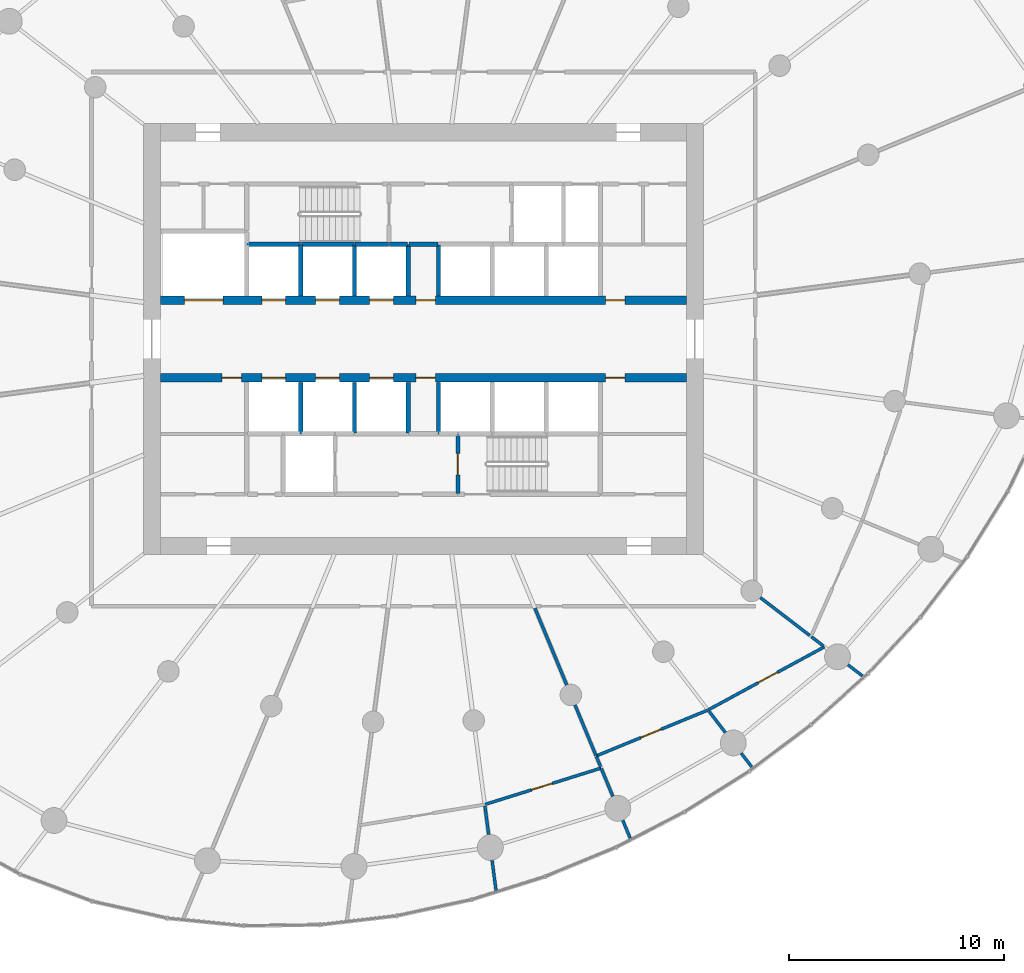
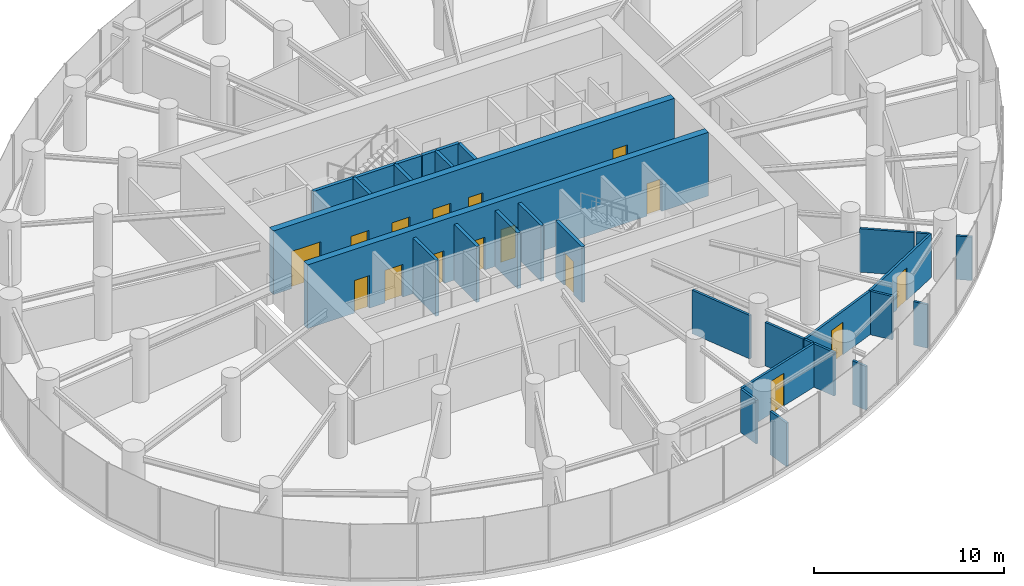
# One storey, part 11 of 17: 31 walls, 16 doors, 16 openings.
"""IFC4 building model written with IfcOpenShell, lengths in metres."""

from ifc_helpers import new_model, si_unit, direction, frame, frame_2d, origin, place, context, subcontext, project, spatial, rectangle, extrude, source, transform, mapped, material, layer, layer_set, type_object, element, fill, save


model = new_model("IFC4")

# Units and contexts
model_context = context("Model", 3, precision=1e-05, world=origin(), true_north=direction((0.0, 1.0)))
body_context = subcontext(model_context, "Body", "Model", "MODEL_VIEW")
ifc_project = project(units=[si_unit("LENGTHUNIT", "METRE"), si_unit("AREAUNIT", "SQUARE_METRE"), si_unit("VOLUMEUNIT", "CUBIC_METRE"), si_unit("PLANEANGLEUNIT", "RADIAN"), si_unit("MASSUNIT", "GRAM", prefix="KILO")], contexts=[model_context])

# Site, building, storey
site_placement = place(None, origin())
site = spatial("IfcSite", under=ifc_project, at=site_placement, CompositionType="ELEMENT")
building_placement = place(site_placement, origin())
building = spatial("IfcBuilding", under=site, at=building_placement, Name="Spindrift Exchange Tower", CompositionType="ELEMENT")
storey_placement = place(building_placement, frame((0.0, 0.0, 124.89990234375)))
storey = spatial("IfcBuildingStorey", under=building, at=storey_placement, Name="L29", CompositionType="ELEMENT", Elevation=124.89990234375)

# Wall, openings, doors
ifc_material_1 = material(Name="Concrete 65 MPa", Category="concrete")
ifc_layer_1 = layer(ifc_material_1, 0.39990234375)
ifc_layer_set_1 = layer_set([ifc_layer_1], Name="RC Spine Wall 400 Concrete 65 MPa")
wall_type_1 = type_object("IfcWallType", Name="RC Spine Wall 400 Concrete 65 MPa", PredefinedType="SHEAR", material=ifc_layer_set_1)
wall_1_placement = place(storey_placement, frame((39.800048828125, 49.800048828125, 0.0), z_axis=(0.0, 0.0, 1.0), x_axis=(1.0, 0.0, 0.0)))
wall_1 = element("IfcWall", 1, at=wall_1_placement, inside=storey, type_object=wall_type_1, Name="Core spine wall N L29", PredefinedType="SHEAR", context=body_context, shape_type="SweptSolid", body=[
    extrude(rectangle(XDim=24.39990234375, YDim=0.39990234375, at=frame_2d((12.199951171875, 0.0))), origin(), (0.0, 0.0, 1.0), 4.10009765625),
])
opening_1_placement = place(wall_1_placement, frame((4.699951171875, 0.0, 0.0)))
opening_1 = element("IfcOpeningElement", 2, at=opening_1_placement, cuts=wall_1, Name="Opening L29-D3", PredefinedType="OPENING", context=body_context, shape_type="SweptSolid", body=[
    extrude(rectangle(XDim=1.10009765625, YDim=2.10009765625, at=frame_2d((0.550048828125, 1.050048828125))), frame((0.0, 0.2099609375, 0.0), z_axis=(0.0, -1.0, 0.0), x_axis=(1.0, 0.0, 0.0)), (0.0, 0.0, 1.0), 0.419921875),
])
opening_2_placement = place(wall_1_placement, frame((7.199951171875, 0.0, 0.0)))
opening_2 = element("IfcOpeningElement", 3, at=opening_2_placement, cuts=wall_1, Name="Opening L29-D4", PredefinedType="OPENING", context=body_context, shape_type="SweptSolid", body=[
    extrude(rectangle(XDim=1.10009765625, YDim=2.10009765625, at=frame_2d((0.550048828125, 1.050048828125))), frame((0.0, 0.2099609375, 0.0), z_axis=(0.0, -1.0, 0.0), x_axis=(1.0, 0.0, 0.0)), (0.0, 0.0, 1.0), 0.419921875),
])
opening_3_placement = place(wall_1_placement, frame((9.699951171875, 0.0, 0.0)))
opening_3 = element("IfcOpeningElement", 4, at=opening_3_placement, cuts=wall_1, Name="Opening L29-D5", PredefinedType="OPENING", context=body_context, shape_type="SweptSolid", body=[
    extrude(rectangle(XDim=1.10009765625, YDim=2.10009765625, at=frame_2d((0.550048828125, 1.050048828125))), frame((0.0, 0.2099609375, 0.0), z_axis=(0.0, -1.0, 0.0), x_axis=(1.0, 0.0, 0.0)), (0.0, 0.0, 1.0), 0.419921875),
])
opening_4_placement = place(wall_1_placement, frame((1.10009765625, 0.0, 0.0)))
opening_4 = element("IfcOpeningElement", 5, at=opening_4_placement, cuts=wall_1, Name="Opening L29-D12", PredefinedType="OPENING", context=body_context, shape_type="SweptSolid", body=[
    extrude(rectangle(XDim=1.800048828125, YDim=2.39990234375, at=frame_2d((0.89990234375, 1.199951171875))), frame((0.0, 0.2099609375, 0.0), z_axis=(0.0, -1.0, 0.0), x_axis=(1.0, 0.0, 0.0)), (0.0, 0.0, 1.0), 0.419921875),
])
opening_5_placement = place(wall_1_placement, frame((20.64990234375, 0.0, 0.0)))
opening_5 = element("IfcOpeningElement", 6, at=opening_5_placement, cuts=wall_1, Name="Opening L29-D48", PredefinedType="OPENING", context=body_context, shape_type="SweptSolid", body=[
    extrude(rectangle(XDim=0.89990234375, YDim=2.10009765625, at=frame_2d((0.449951171875, 1.050048828125))), frame((0.0, 0.2099609375, 0.0), z_axis=(0.0, -1.0, 0.0), x_axis=(1.0, 0.0, 0.0)), (0.0, 0.0, 1.0), 0.419921875),
])
opening_6_placement = place(wall_1_placement, frame((11.85009765625, 0.0, 0.0)))
opening_6 = element("IfcOpeningElement", 7, at=opening_6_placement, cuts=wall_1, Name="Opening L29-D53", PredefinedType="OPENING", context=body_context, shape_type="SweptSolid", body=[
    extrude(rectangle(XDim=0.89990234375, YDim=2.10009765625, at=frame_2d((0.449951171875, 1.050048828125))), frame((0.0, 0.2099609375, 0.0), z_axis=(0.0, -1.0, 0.0), x_axis=(1.0, 0.0, 0.0)), (0.0, 0.0, 1.0), 0.419921875),
])
ifc_material_2 = material(Name="Stainless steel landing door", Category="steel")
door_type_1 = type_object("IfcDoorType", Name="DR-LANDING-1100-SL", OperationType="DOUBLE_DOOR_SLIDING", PredefinedType="USERDEFINED", material=ifc_material_2)
shared_shape_1 = source(origin(), body_context, "Body", "SweptSolid", [
    extrude(rectangle(XDim=1.10009765625, YDim=2.10009765625, at=frame_2d((0.550048828125, 1.050048828125))), frame((0.0, 0.02490234375, 0.0), z_axis=(0.0, -1.0, 0.0), x_axis=(1.0, 0.0, 0.0)), (0.0, 0.0, 1.0), 0.050048828125),
])
door_1_placement = place(opening_1_placement, origin())
door_1 = element("IfcDoor", 8, at=door_1_placement, inside=storey, type_object=door_type_1, Name="L29 Lift landing door 3", ObjectType="LANDING DOOR", OperationType="DOUBLE_DOOR_SLIDING", OverallHeight=2.10009765625, OverallWidth=1.10009765625, PredefinedType="USERDEFINED", context=body_context, shape_type="MappedRepresentation", body=[
    mapped(shared_shape_1, transform((0.0, 0.0, 0.0), scale=1.0)),
])
fill(opening_1, door_1)
door_2_placement = place(opening_2_placement, origin())
door_2 = element("IfcDoor", 9, at=door_2_placement, inside=storey, type_object=door_type_1, Name="L29 Lift landing door 4", ObjectType="LANDING DOOR", OperationType="DOUBLE_DOOR_SLIDING", OverallHeight=2.10009765625, OverallWidth=1.10009765625, PredefinedType="USERDEFINED", context=body_context, shape_type="MappedRepresentation", body=[
    mapped(shared_shape_1, transform((0.0, 0.0, 0.0), scale=1.0)),
])
fill(opening_2, door_2)
door_3_placement = place(opening_3_placement, origin())
door_3 = element("IfcDoor", 10, at=door_3_placement, inside=storey, type_object=door_type_1, Name="L29 Lift landing door 5", ObjectType="LANDING DOOR", OperationType="DOUBLE_DOOR_SLIDING", OverallHeight=2.10009765625, OverallWidth=1.10009765625, PredefinedType="USERDEFINED", context=body_context, shape_type="MappedRepresentation", body=[
    mapped(shared_shape_1, transform((0.0, 0.0, 0.0), scale=1.0)),
])
fill(opening_3, door_3)
door_type_2 = type_object("IfcDoorType", Name="DR-LANDING-1800-SL", OperationType="DOUBLE_DOOR_SLIDING", PredefinedType="USERDEFINED", material=ifc_material_2)
shared_shape_2 = source(origin(), body_context, "Body", "SweptSolid", [
    extrude(rectangle(XDim=1.800048828125, YDim=2.39990234375, at=frame_2d((0.89990234375, 1.199951171875))), frame((0.0, 0.02490234375, 0.0), z_axis=(0.0, -1.0, 0.0), x_axis=(1.0, 0.0, 0.0)), (0.0, 0.0, 1.0), 0.050048828125),
])
door_4_placement = place(opening_4_placement, origin())
door_4 = element("IfcDoor", 11, at=door_4_placement, inside=storey, type_object=door_type_2, Name="L29 Lift landing door 12", ObjectType="LANDING DOOR", OperationType="DOUBLE_DOOR_SLIDING", OverallHeight=2.39990234375, OverallWidth=1.800048828125, PredefinedType="USERDEFINED", context=body_context, shape_type="MappedRepresentation", body=[
    mapped(shared_shape_2, transform((0.0, 0.0, 0.0), scale=1.0)),
])
fill(opening_4, door_4)
ifc_material_3 = material(Name="Steel access door", Category="steel")
door_type_3 = type_object("IfcDoorType", Name="DR-RISER-900", OperationType="NOTDEFINED", PredefinedType="DOOR", material=ifc_material_3)
shared_shape_3 = source(origin(), body_context, "Body", "SweptSolid", [
    extrude(rectangle(XDim=0.89990234375, YDim=2.10009765625, at=frame_2d((0.449951171875, 1.050048828125))), frame((0.0, 0.02490234375, 0.0), z_axis=(0.0, -1.0, 0.0), x_axis=(1.0, 0.0, 0.0)), (0.0, 0.0, 1.0), 0.050048828125),
])
door_5_placement = place(opening_5_placement, origin())
door_5 = element("IfcDoor", 12, at=door_5_placement, inside=storey, type_object=door_type_3, Name="L29 Riser door 48", OperationType="SINGLE_SWING_LEFT", OverallHeight=2.10009765625, OverallWidth=0.89990234375, PredefinedType="DOOR", context=body_context, shape_type="MappedRepresentation", body=[
    mapped(shared_shape_3, transform((0.0, 0.0, 0.0), scale=1.0)),
])
fill(opening_5, door_5)
door_6_placement = place(opening_6_placement, origin())
door_6 = element("IfcDoor", 13, at=door_6_placement, inside=storey, type_object=door_type_3, Name="L29 Riser door 53", OperationType="SINGLE_SWING_RIGHT", OverallHeight=2.10009765625, OverallWidth=0.89990234375, PredefinedType="DOOR", context=body_context, shape_type="MappedRepresentation", body=[
    mapped(shared_shape_3, transform((0.0, 0.0, 0.0), scale=1.0)),
])
fill(opening_6, door_6)

wall_2_placement = place(storey_placement, frame((39.800048828125, 46.199951171875, 0.0), z_axis=(0.0, 0.0, 1.0), x_axis=(1.0, 0.0, 0.0)))
wall_2 = element("IfcWall", 14, at=wall_2_placement, inside=storey, type_object=wall_type_1, Name="Core spine wall S L29", PredefinedType="SHEAR", context=body_context, shape_type="SweptSolid", body=[
    extrude(rectangle(XDim=24.39990234375, YDim=0.39990234375, at=frame_2d((12.199951171875, 0.0))), origin(), (0.0, 0.0, 1.0), 4.10009765625),
])
opening_7_placement = place(wall_2_placement, frame((4.699951171875, 0.0, 0.0)))
opening_7 = element("IfcOpeningElement", 15, at=opening_7_placement, cuts=wall_2, Name="Opening L29-D6", PredefinedType="OPENING", context=body_context, shape_type="SweptSolid", body=[
    extrude(rectangle(XDim=1.10009765625, YDim=2.10009765625, at=frame_2d((0.550048828125, 1.050048828125))), frame((0.0, 0.2099609375, 0.0), z_axis=(0.0, -1.0, 0.0), x_axis=(1.0, 0.0, 0.0)), (0.0, 0.0, 1.0), 0.419921875),
])
opening_8_placement = place(wall_2_placement, frame((7.199951171875, 0.0, 0.0)))
opening_8 = element("IfcOpeningElement", 16, at=opening_8_placement, cuts=wall_2, Name="Opening L29-D7", PredefinedType="OPENING", context=body_context, shape_type="SweptSolid", body=[
    extrude(rectangle(XDim=1.10009765625, YDim=2.10009765625, at=frame_2d((0.550048828125, 1.050048828125))), frame((0.0, 0.2099609375, 0.0), z_axis=(0.0, -1.0, 0.0), x_axis=(1.0, 0.0, 0.0)), (0.0, 0.0, 1.0), 0.419921875),
])
opening_9_placement = place(wall_2_placement, frame((9.699951171875, 0.0, 0.0)))
opening_9 = element("IfcOpeningElement", 17, at=opening_9_placement, cuts=wall_2, Name="Opening L29-D8", PredefinedType="OPENING", context=body_context, shape_type="SweptSolid", body=[
    extrude(rectangle(XDim=1.10009765625, YDim=2.10009765625, at=frame_2d((0.550048828125, 1.050048828125))), frame((0.0, 0.2099609375, 0.0), z_axis=(0.0, -1.0, 0.0), x_axis=(1.0, 0.0, 0.0)), (0.0, 0.0, 1.0), 0.419921875),
])
opening_10_placement = place(wall_2_placement, frame((20.64990234375, 0.0, 0.0)))
opening_10 = element("IfcOpeningElement", 18, at=opening_10_placement, cuts=wall_2, Name="Opening L29-D47", PredefinedType="OPENING", context=body_context, shape_type="SweptSolid", body=[
    extrude(rectangle(XDim=0.89990234375, YDim=2.10009765625, at=frame_2d((0.449951171875, 1.050048828125))), frame((0.0, 0.2099609375, 0.0), z_axis=(0.0, -1.0, 0.0), x_axis=(1.0, 0.0, 0.0)), (0.0, 0.0, 1.0), 0.419921875),
])
opening_11_placement = place(wall_2_placement, frame((2.85009765625, 0.0, 0.0)))
opening_11 = element("IfcOpeningElement", 19, at=opening_11_placement, cuts=wall_2, Name="Opening L29-D52", PredefinedType="OPENING", context=body_context, shape_type="SweptSolid", body=[
    extrude(rectangle(XDim=0.89990234375, YDim=2.10009765625, at=frame_2d((0.449951171875, 1.050048828125))), frame((0.0, 0.2099609375, 0.0), z_axis=(0.0, -1.0, 0.0), x_axis=(1.0, 0.0, 0.0)), (0.0, 0.0, 1.0), 0.419921875),
])
opening_12_placement = place(wall_2_placement, frame((11.85009765625, 0.0, 0.0)))
opening_12 = element("IfcOpeningElement", 20, at=opening_12_placement, cuts=wall_2, Name="Opening L29-D54", PredefinedType="OPENING", context=body_context, shape_type="SweptSolid", body=[
    extrude(rectangle(XDim=0.89990234375, YDim=2.10009765625, at=frame_2d((0.449951171875, 1.050048828125))), frame((0.0, 0.2099609375, 0.0), z_axis=(0.0, -1.0, 0.0), x_axis=(1.0, 0.0, 0.0)), (0.0, 0.0, 1.0), 0.419921875),
])
door_7_placement = place(opening_7_placement, origin())
door_7 = element("IfcDoor", 21, at=door_7_placement, inside=storey, type_object=door_type_1, Name="L29 Lift landing door 6", ObjectType="LANDING DOOR", OperationType="DOUBLE_DOOR_SLIDING", OverallHeight=2.10009765625, OverallWidth=1.10009765625, PredefinedType="USERDEFINED", context=body_context, shape_type="MappedRepresentation", body=[
    mapped(shared_shape_1, transform((0.0, 0.0, 0.0), scale=1.0)),
])
fill(opening_7, door_7)
door_8_placement = place(opening_8_placement, origin())
door_8 = element("IfcDoor", 22, at=door_8_placement, inside=storey, type_object=door_type_1, Name="L29 Lift landing door 7", ObjectType="LANDING DOOR", OperationType="DOUBLE_DOOR_SLIDING", OverallHeight=2.10009765625, OverallWidth=1.10009765625, PredefinedType="USERDEFINED", context=body_context, shape_type="MappedRepresentation", body=[
    mapped(shared_shape_1, transform((0.0, 0.0, 0.0), scale=1.0)),
])
fill(opening_8, door_8)
door_9_placement = place(opening_9_placement, origin())
door_9 = element("IfcDoor", 23, at=door_9_placement, inside=storey, type_object=door_type_1, Name="L29 Lift landing door 8", ObjectType="LANDING DOOR", OperationType="DOUBLE_DOOR_SLIDING", OverallHeight=2.10009765625, OverallWidth=1.10009765625, PredefinedType="USERDEFINED", context=body_context, shape_type="MappedRepresentation", body=[
    mapped(shared_shape_1, transform((0.0, 0.0, 0.0), scale=1.0)),
])
fill(opening_9, door_9)
door_10_placement = place(opening_10_placement, origin())
door_10 = element("IfcDoor", 24, at=door_10_placement, inside=storey, type_object=door_type_3, Name="L29 Riser door 47", OperationType="SINGLE_SWING_RIGHT", OverallHeight=2.10009765625, OverallWidth=0.89990234375, PredefinedType="DOOR", context=body_context, shape_type="MappedRepresentation", body=[
    mapped(shared_shape_3, transform((0.0, 0.0, 0.0), scale=1.0)),
])
fill(opening_10, door_10)
door_11_placement = place(opening_11_placement, origin())
door_11 = element("IfcDoor", 25, at=door_11_placement, inside=storey, type_object=door_type_3, Name="L29 Riser door 52", OperationType="SINGLE_SWING_LEFT", OverallHeight=2.10009765625, OverallWidth=0.89990234375, PredefinedType="DOOR", context=body_context, shape_type="MappedRepresentation", body=[
    mapped(shared_shape_3, transform((0.0, 0.0, 0.0), scale=1.0)),
])
fill(opening_11, door_11)
door_12_placement = place(opening_12_placement, origin())
door_12 = element("IfcDoor", 26, at=door_12_placement, inside=storey, type_object=door_type_3, Name="L29 Riser door 54", OperationType="SINGLE_SWING_LEFT", OverallHeight=2.10009765625, OverallWidth=0.89990234375, PredefinedType="DOOR", context=body_context, shape_type="MappedRepresentation", body=[
    mapped(shared_shape_3, transform((0.0, 0.0, 0.0), scale=1.0)),
])
fill(opening_12, door_12)

# Wall, opening, door
ifc_material_4 = material(Name="Fire-rated plasterboard partition", Category="gypsum")
ifc_layer_2 = layer(ifc_material_4, 0.139892578125)
ifc_layer_set_2 = layer_set([ifc_layer_2], Name="W-PART-140")
wall_type_2 = type_object("IfcWallType", Name="W-PART-140", PredefinedType="PARTITIONING", material=ifc_layer_set_2)
wall_3_placement = place(storey_placement, frame((70.613525390625, 33.71728515625, 0.0), z_axis=(0.0, 0.0, 1.0), x_axis=(-0.878930010096, -0.476950770365, 0.0)))
wall_3 = element("IfcWall", 27, at=wall_3_placement, inside=storey, type_object=wall_type_2, Name="L29 Partition wall 70", PredefinedType="PARTITIONING", context=body_context, shape_type="SweptSolid", body=[
    extrude(rectangle(XDim=6.148193359375, YDim=0.139892578125, at=frame_2d((3.07421875, 0.0))), origin(), (0.0, 0.0, 1.0), 2.800048828125),
])
opening_13_placement = place(wall_3_placement, frame((2.498291015625, 0.0, 0.0)))
opening_13 = element("IfcOpeningElement", 28, at=opening_13_placement, cuts=wall_3, Name="Opening L29-D36", PredefinedType="OPENING", context=body_context, shape_type="SweptSolid", body=[
    extrude(rectangle(XDim=1.0, YDim=2.10009765625, at=frame_2d((0.5, 1.050048828125))), frame((0.0, 0.079833984375, 0.0), z_axis=(0.0, -1.0, 0.0), x_axis=(1.0, 0.0, 0.0)), (0.0, 0.0, 1.0), 0.159912109375),
])
ifc_material_5 = material(Name="Timber-core fire door", Category="wood")
door_type_4 = type_object("IfcDoorType", Name="DR-ROOM-1000", OperationType="NOTDEFINED", PredefinedType="DOOR", material=ifc_material_5)
shared_shape_4 = source(origin(), body_context, "Body", "SweptSolid", [
    extrude(rectangle(XDim=1.0, YDim=2.10009765625, at=frame_2d((0.5, 1.050048828125))), frame((0.0, 0.02490234375, 0.0), z_axis=(0.0, -1.0, 0.0), x_axis=(1.0, 0.0, 0.0)), (0.0, 0.0, 1.0), 0.050048828125),
])
door_13_placement = place(opening_13_placement, origin())
door_13 = element("IfcDoor", 29, at=door_13_placement, inside=storey, type_object=door_type_4, Name="L29 Door 36", OperationType="SINGLE_SWING_LEFT", OverallHeight=2.10009765625, OverallWidth=1.0, PredefinedType="DOOR", context=body_context, shape_type="MappedRepresentation", body=[
    mapped(shared_shape_4, transform((0.0, 0.0, 0.0), scale=1.0)),
])
fill(opening_13, door_13)

wall_4_placement = place(storey_placement, frame((60.24755859375, 28.088623046875, 0.0), z_axis=(0.0, 0.0, 1.0), x_axis=(-0.954278452845, -0.298919110189, 0.0)))
wall_4 = element("IfcWall", 30, at=wall_4_placement, inside=storey, type_object=wall_type_2, Name="L29 Partition wall 74", PredefinedType="PARTITIONING", context=body_context, shape_type="SweptSolid", body=[
    extrude(rectangle(XDim=5.63232421875, YDim=0.139892578125, at=frame_2d((2.816162109375, 0.0))), origin(), (0.0, 0.0, 1.0), 2.800048828125),
])
opening_14_placement = place(wall_4_placement, frame((2.38232421875, 0.0, 0.0)))
opening_14 = element("IfcOpeningElement", 31, at=opening_14_placement, cuts=wall_4, Name="Opening L29-D33", PredefinedType="OPENING", context=body_context, shape_type="SweptSolid", body=[
    extrude(rectangle(XDim=1.0, YDim=2.10009765625, at=frame_2d((0.5, 1.050048828125))), frame((0.0, 0.079833984375, 0.0), z_axis=(0.0, -1.0, 0.0), x_axis=(1.0, 0.0, 0.0)), (0.0, 0.0, 1.0), 0.159912109375),
])
door_14_placement = place(opening_14_placement, origin())
door_14 = element("IfcDoor", 32, at=door_14_placement, inside=storey, type_object=door_type_4, Name="L29 Door 33", OperationType="SINGLE_SWING_RIGHT", OverallHeight=2.10009765625, OverallWidth=1.0, PredefinedType="DOOR", context=body_context, shape_type="MappedRepresentation", body=[
    mapped(shared_shape_4, transform((0.0, 0.0, 0.0), scale=1.0)),
])
fill(opening_14, door_14)

wall_5_placement = place(storey_placement, frame((65.181884765625, 30.7734375, 0.0), z_axis=(0.0, 0.0, 1.0), x_axis=(-0.924926811929, -0.380145225637, 0.0)))
wall_5 = element("IfcWall", 33, at=wall_5_placement, inside=storey, type_object=wall_type_2, Name="L29 Partition wall 76", PredefinedType="PARTITIONING", context=body_context, shape_type="SweptSolid", body=[
    extrude(rectangle(XDim=5.586181640625, YDim=0.139892578125, at=frame_2d((2.79296875, 0.0))), origin(), (0.0, 0.0, 1.0), 2.800048828125),
])
opening_15_placement = place(wall_5_placement, frame((2.336181640625, 0.0, 0.0)))
opening_15 = element("IfcOpeningElement", 34, at=opening_15_placement, cuts=wall_5, Name="Opening L29-D35", PredefinedType="OPENING", context=body_context, shape_type="SweptSolid", body=[
    extrude(rectangle(XDim=1.0, YDim=2.10009765625, at=frame_2d((0.5, 1.050048828125))), frame((0.0, 0.079833984375, 0.0), z_axis=(0.0, -1.0, 0.0), x_axis=(1.0, 0.0, 0.0)), (0.0, 0.0, 1.0), 0.159912109375),
])
door_15_placement = place(opening_15_placement, origin())
door_15 = element("IfcDoor", 35, at=door_15_placement, inside=storey, type_object=door_type_4, Name="L29 Door 35", OperationType="SINGLE_SWING_RIGHT", OverallHeight=2.10009765625, OverallWidth=1.0, PredefinedType="DOOR", context=body_context, shape_type="MappedRepresentation", body=[
    mapped(shared_shape_4, transform((0.0, 0.0, 0.0), scale=1.0)),
])
fill(opening_15, door_15)

# Walls
wall_6_placement = place(storey_placement, frame((57.173583984375, 35.510009765625, 0.0), z_axis=(0.0, 0.0, 1.0), x_axis=(0.382644558062, -0.923895633817, 0.0)))
element("IfcWall", 36, at=wall_6_placement, inside=storey, type_object=wall_type_2, Name="L29 Partition wall 94", PredefinedType="PARTITIONING", context=body_context, shape_type="SweptSolid", body=[
    extrude(rectangle(XDim=3.854248046875, YDim=0.139892578125, at=frame_2d((1.92724609375, 0.0))), origin(), (0.0, 0.0, 1.0), 2.800048828125),
])
wall_7_placement = place(storey_placement, frame((59.034912109375, 31.015869140625, 0.0), z_axis=(0.0, 0.0, 1.0), x_axis=(0.382772084801, -0.923842806487, 0.0)))
element("IfcWall", 37, at=wall_7_placement, inside=storey, type_object=wall_type_2, Name="L29 Partition wall 99", PredefinedType="PARTITIONING", context=body_context, shape_type="SweptSolid", body=[
    extrude(rectangle(XDim=2.53076171875, YDim=0.139892578125, at=frame_2d((1.265380859375, 0.0))), origin(), (0.0, 0.0, 1.0), 2.800048828125),
])
wall_8_placement = place(storey_placement, frame((60.259033203125, 28.06103515625, 0.0), z_axis=(0.0, 0.0, 1.0), x_axis=(0.382641697258, -0.923896818654, 0.0)))
element("IfcWall", 38, at=wall_8_placement, inside=storey, type_object=wall_type_2, Name="L29 Partition wall 107", PredefinedType="PARTITIONING", context=body_context, shape_type="SweptSolid", body=[
    extrude(rectangle(XDim=1.388427734375, YDim=0.139892578125, at=frame_2d((0.6943359375, 0.0))), origin(), (0.0, 0.0, 1.0), 2.800048828125),
])
wall_9_placement = place(storey_placement, frame((55.185302734375, 23.805419921875, 0.0), z_axis=(0.0, 0.0, 1.0), x_axis=(0.130575464365, -0.991438373327, 0.0)))
element("IfcWall", 39, at=wall_9_placement, inside=storey, type_object=wall_type_2, Name="L29 Partition wall 108", PredefinedType="PARTITIONING", context=body_context, shape_type="SweptSolid", body=[
    extrude(rectangle(XDim=1.40966796875, YDim=0.139892578125, at=frame_2d((0.704833984375, 0.0))), origin(), (0.0, 0.0, 1.0), 2.800048828125),
])
wall_10_placement = place(storey_placement, frame((54.853515625, 26.32666015625, 0.0), z_axis=(0.0, 0.0, 1.0), x_axis=(0.130473447072, -0.991451803977, 0.0)))
element("IfcWall", 40, at=wall_10_placement, inside=storey, type_object=wall_type_2, Name="L29 Partition wall 109", PredefinedType="PARTITIONING", context=body_context, shape_type="SweptSolid", body=[
    extrude(rectangle(XDim=1.334228515625, YDim=0.139892578125, at=frame_2d((0.6669921875, 0.0))), origin(), (0.0, 0.0, 1.0), 2.800048828125),
])
wall_11_placement = place(storey_placement, frame((65.252685546875, 30.728515625, 0.0), z_axis=(0.0, 0.0, 1.0), x_axis=(0.608927359571, -0.793225989719, 0.0)))
element("IfcWall", 41, at=wall_11_placement, inside=storey, type_object=wall_type_2, Name="L29 Partition wall 110", PredefinedType="PARTITIONING", context=body_context, shape_type="SweptSolid", body=[
    extrude(rectangle(XDim=1.25048828125, YDim=0.139892578125, at=frame_2d((0.625244140625, 0.0))), origin(), (0.0, 0.0, 1.0), 2.800048828125),
])
wall_12_placement = place(storey_placement, frame((61.25341796875, 25.660400390625, 0.0), z_axis=(0.0, 0.0, 1.0), x_axis=(0.382657128341, -0.923890427556, 0.0)))
element("IfcWall", 42, at=wall_12_placement, inside=storey, type_object=wall_type_2, Name="L29 Partition wall 118", PredefinedType="PARTITIONING", context=body_context, shape_type="SweptSolid", body=[
    extrude(rectangle(XDim=0.89453125, YDim=0.139892578125, at=frame_2d((0.447265625, 0.0))), origin(), (0.0, 0.0, 1.0), 2.800048828125),
])
wall_13_placement = place(storey_placement, frame((71.69921875, 32.88427734375, 0.0), z_axis=(0.0, 0.0, 1.0), x_axis=(0.793238811862, -0.6089106563, 0.0)))
element("IfcWall", 43, at=wall_13_placement, inside=storey, type_object=wall_type_2, Name="L29 Partition wall 119", PredefinedType="PARTITIONING", context=body_context, shape_type="SweptSolid", body=[
    extrude(rectangle(XDim=0.855712890625, YDim=0.139892578125, at=frame_2d((0.427734375, 0.0))), origin(), (0.0, 0.0, 1.0), 2.800048828125),
])
wall_14_placement = place(storey_placement, frame((66.75, 28.777587890625, 0.0), z_axis=(0.0, 0.0, 1.0), x_axis=(0.608680693656, -0.79341528418, 0.0)))
element("IfcWall", 44, at=wall_14_placement, inside=storey, type_object=wall_type_2, Name="L29 Partition wall 121", PredefinedType="PARTITIONING", context=body_context, shape_type="SweptSolid", body=[
    extrude(rectangle(XDim=0.80224609375, YDim=0.139892578125, at=frame_2d((0.401123046875, 0.0))), origin(), (0.0, 0.0, 1.0), 2.800048828125),
])
wall_15_placement = place(storey_placement, frame((70.01220703125, 34.1787109375, 0.0), z_axis=(0.0, 0.0, 1.0), x_axis=(0.79332944937, -0.608792562999, 0.0)))
element("IfcWall", 45, at=wall_15_placement, inside=storey, type_object=wall_type_2, Name="L29 Partition wall 122", PredefinedType="PARTITIONING", context=body_context, shape_type="SweptSolid", body=[
    extrude(rectangle(XDim=0.681396484375, YDim=0.139892578125, at=frame_2d((0.3408203125, 0.0))), origin(), (0.0, 0.0, 1.0), 2.800048828125),
])
wall_16_placement = place(storey_placement, frame((60.026611328125, 28.622314453125, 0.0), z_axis=(0.0, 0.0, 1.0), x_axis=(0.382734457734, -0.923858395461, 0.0)))
element("IfcWall", 46, at=wall_16_placement, inside=storey, type_object=wall_type_2, Name="L29 Partition wall 123", PredefinedType="PARTITIONING", context=body_context, shape_type="SweptSolid", body=[
    extrude(rectangle(XDim=0.507080078125, YDim=0.139892578125, at=frame_2d((0.25341796875, 0.0))), origin(), (0.0, 0.0, 1.0), 2.800048828125),
])
ifc_layer_3 = layer(ifc_material_4, 0.139892578125)
ifc_layer_set_3 = layer_set([ifc_layer_3], Name="W-PLANT-140")
wall_type_3 = type_object("IfcWallType", Name="W-PLANT-140", PredefinedType="PARTITIONING", material=ifc_layer_set_3)
wall_17_placement = place(storey_placement, frame((67.632568359375, 36.004638671875, 0.0), z_axis=(0.0, 0.0, 1.0), x_axis=(0.793359481557, -0.608753425472, 0.0)))
element("IfcWall", 47, at=wall_17_placement, inside=storey, type_object=wall_type_3, Name="L29 Partition wall 96", PredefinedType="PARTITIONING", context=body_context, shape_type="SweptSolid", body=[
    extrude(rectangle(XDim=2.897705078125, YDim=0.139892578125, at=frame_2d((1.44873046875, 0.0))), origin(), (0.0, 0.0, 1.0), 2.800048828125),
])
ifc_material_6 = material(Name="Concrete 40 MPa", Category="concrete")
ifc_layer_4 = layer(ifc_material_6, 0.199951171875)
ifc_layer_set_4 = layer_set([ifc_layer_4], Name="W-SHAFT-200")
wall_type_4 = type_object("IfcWallType", Name="W-SHAFT-200", PredefinedType="SOLIDWALL", material=ifc_layer_set_4)
wall_18_placement = place(storey_placement, frame((46.300048828125, 43.60009765625, 0.0), z_axis=(0.0, 0.0, 1.0), x_axis=(0.0, 1.0, 0.0)))
element("IfcWall", 48, at=wall_18_placement, inside=storey, type_object=wall_type_4, Name="L29 Shaft wall 25", PredefinedType="SOLIDWALL", context=body_context, shape_type="SweptSolid", body=[
    extrude(rectangle(XDim=2.389892578125, YDim=0.199951171875, at=frame_2d((1.19482421875, 0.0))), origin(), (0.0, 0.0, 1.0), 3.60009765625),
])
for number, where, z_axis, x_axis, name in (
    (49, (48.800048828125, 43.6298828125, 0.0), (0.0, 0.0, 1.0), (0.0, 1.0, 0.0), "L29 Shaft wall 27"),
    (50, (51.300048828125, 43.6298828125, 0.0), (0.0, 0.0, 1.0), (0.0, 1.0, 0.0), "L29 Shaft wall 29"),
):
    element("IfcWall", number, at=place(storey_placement, frame(where, z_axis=z_axis, x_axis=x_axis)), inside=storey, type_object=wall_type_4, Name=name, PredefinedType="SOLIDWALL", context=body_context, shape_type="SweptSolid", body=[
        extrude(rectangle(XDim=2.360107421875, YDim=0.199951171875, at=frame_2d((1.18017578125, 0.0))), origin(), (0.0, 0.0, 1.0), 3.60009765625),
    ])
for number, where, z_axis, x_axis, name in (
    (51, (51.300048828125, 50.010009765625, 0.0), (0.0, 0.0, 1.0), (0.0, 1.0, 0.0), "L29 Shaft wall 30"),
    (52, (52.699951171875, 45.989990234375, 0.0), (0.0, 0.0, 1.0), (0.0, -1.0, 0.0), "L29 Shaft wall 31"),
):
    element("IfcWall", number, at=place(storey_placement, frame(where, z_axis=z_axis, x_axis=x_axis)), inside=storey, type_object=wall_type_4, Name=name, PredefinedType="SOLIDWALL", context=body_context, shape_type="SweptSolid", body=[
        extrude(rectangle(XDim=2.389892578125, YDim=0.199951171875, at=frame_2d((1.19482421875, 0.0))), origin(), (0.0, 0.0, 1.0), 3.60009765625),
    ])
wall_19_placement = place(storey_placement, frame((52.699951171875, 52.3701171875, 0.0), z_axis=(0.0, 0.0, 1.0), x_axis=(0.0, -1.0, 0.0)))
element("IfcWall", 53, at=wall_19_placement, inside=storey, type_object=wall_type_4, Name="L29 Shaft wall 32", PredefinedType="SOLIDWALL", context=body_context, shape_type="SweptSolid", body=[
    extrude(rectangle(XDim=2.360107421875, YDim=0.199951171875, at=frame_2d((1.18017578125, 0.0))), origin(), (0.0, 0.0, 1.0), 3.60009765625),
])
wall_20_placement = place(storey_placement, frame((51.330078125, 52.39990234375, 0.0), z_axis=(0.0, 0.0, 1.0), x_axis=(1.0, 0.0, 0.0)))
element("IfcWall", 54, at=wall_20_placement, inside=storey, type_object=wall_type_4, Name="L29 Shaft wall 49", PredefinedType="SOLIDWALL", context=body_context, shape_type="SweptSolid", body=[
    extrude(rectangle(XDim=1.33984375, YDim=0.199951171875, at=frame_2d((0.669921875, 0.0))), origin(), (0.0, 0.0, 1.0), 3.60009765625),
])

# Wall, opening, door
ifc_layer_5 = layer(ifc_material_6, 0.199951171875)
ifc_layer_set_5 = layer_set([ifc_layer_5], Name="W-SHAFT-200-LB")
wall_type_5 = type_object("IfcWallType", Name="W-SHAFT-200-LB", PredefinedType="SOLIDWALL", material=ifc_layer_set_5)
wall_21_placement = place(storey_placement, frame((53.60009765625, 43.60009765625, 0.0), z_axis=(0.0, 0.0, 1.0), x_axis=(0.0, -1.0, 0.0)))
wall_21 = element("IfcWall", 55, at=wall_21_placement, inside=storey, type_object=wall_type_5, Name="L29 Shaft wall 11", PredefinedType="SOLIDWALL", context=body_context, shape_type="SweptSolid", body=[
    extrude(rectangle(XDim=2.77001953125, YDim=0.199951171875, at=frame_2d((1.385009765625, 0.0))), origin(), (0.0, 0.0, 1.0), 3.60009765625),
])
opening_16_placement = place(wall_21_placement, frame((0.89990234375, 0.0, 0.0)))
opening_16 = element("IfcOpeningElement", 56, at=opening_16_placement, cuts=wall_21, Name="Opening L29-D17", PredefinedType="OPENING", context=body_context, shape_type="SweptSolid", body=[
    extrude(rectangle(XDim=1.0, YDim=2.10009765625, at=frame_2d((0.5, 1.050048828125))), frame((0.0, 0.10986328125, 0.0), z_axis=(0.0, -1.0, 0.0), x_axis=(1.0, 0.0, 0.0)), (0.0, 0.0, 1.0), 0.219970703125),
])
ifc_material_7 = material(Name="Steel fire door", Category="steel")
door_type_5 = type_object("IfcDoorType", Name="DR-STAIR-1000", OperationType="NOTDEFINED", PredefinedType="DOOR", material=ifc_material_7)
shared_shape_5 = source(origin(), body_context, "Body", "SweptSolid", [
    extrude(rectangle(XDim=1.0, YDim=2.10009765625, at=frame_2d((0.5, 1.050048828125))), frame((0.0, 0.02490234375, 0.0), z_axis=(0.0, -1.0, 0.0), x_axis=(1.0, 0.0, 0.0)), (0.0, 0.0, 1.0), 0.050048828125),
])
door_16_placement = place(opening_16_placement, origin())
door_16 = element("IfcDoor", 57, at=door_16_placement, inside=storey, type_object=door_type_5, Name="L29 Stair door 17", OperationType="SINGLE_SWING_RIGHT", OverallHeight=2.10009765625, OverallWidth=1.0, PredefinedType="DOOR", context=body_context, shape_type="MappedRepresentation", body=[
    mapped(shared_shape_5, transform((0.0, 0.0, 0.0), scale=1.0)),
])
fill(opening_16, door_16)

# Walls
wall_22_placement = place(storey_placement, frame((46.300048828125, 52.39990234375, 0.0), z_axis=(0.0, 0.0, 1.0), x_axis=(-1.0, 0.0, 0.0)))
element("IfcWall", 58, at=wall_22_placement, inside=storey, type_object=wall_type_5, Name="L29 Shaft wall 15", PredefinedType="SOLIDWALL", context=body_context, shape_type="SweptSolid", body=[
    extrude(rectangle(XDim=2.5, YDim=0.199951171875, at=frame_2d((1.25, 0.0))), origin(), (0.0, 0.0, 1.0), 3.60009765625),
])
wall_23_placement = place(storey_placement, frame((48.800048828125, 52.39990234375, 0.0), z_axis=(0.0, 0.0, 1.0), x_axis=(-1.0, 0.0, 0.0)))
element("IfcWall", 59, at=wall_23_placement, inside=storey, type_object=wall_type_5, Name="L29 Shaft wall 16", PredefinedType="SOLIDWALL", context=body_context, shape_type="SweptSolid", body=[
    extrude(rectangle(XDim=2.469970703125, YDim=0.199951171875, at=frame_2d((1.23486328125, 0.0))), origin(), (0.0, 0.0, 1.0), 3.60009765625),
])
for number, where, z_axis, x_axis, name in (
    (60, (46.300048828125, 50.010009765625, 0.0), (0.0, 0.0, 1.0), (0.0, 1.0, 0.0), "L29 Shaft wall 26"),
    (61, (48.800048828125, 50.010009765625, 0.0), (0.0, 0.0, 1.0), (0.0, 1.0, 0.0), "L29 Shaft wall 28"),
):
    element("IfcWall", number, at=place(storey_placement, frame(where, z_axis=z_axis, x_axis=x_axis)), inside=storey, type_object=wall_type_5, Name=name, PredefinedType="SOLIDWALL", context=body_context, shape_type="SweptSolid", body=[
        extrude(rectangle(XDim=2.360107421875, YDim=0.199951171875, at=frame_2d((1.18017578125, 0.0))), origin(), (0.0, 0.0, 1.0), 3.60009765625),
    ])
wall_24_placement = place(storey_placement, frame((50.3701171875, 52.39990234375, 0.0), z_axis=(0.0, 0.0, 1.0), x_axis=(-1.0, 0.0, 0.0)))
element("IfcWall", 62, at=wall_24_placement, inside=storey, type_object=wall_type_5, Name="L29 Shaft wall 45", PredefinedType="SOLIDWALL", context=body_context, shape_type="SweptSolid", body=[
    extrude(rectangle(XDim=1.5400390625, YDim=0.199951171875, at=frame_2d((0.77001953125, 0.0))), origin(), (0.0, 0.0, 1.0), 3.60009765625),
])
wall_25_placement = place(storey_placement, frame((51.27001953125, 52.39990234375, 0.0), z_axis=(0.0, 0.0, 1.0), x_axis=(-1.0, 0.0, 0.0)))
element("IfcWall", 63, at=wall_25_placement, inside=storey, type_object=wall_type_5, Name="L29 Shaft wall 51", PredefinedType="SOLIDWALL", context=body_context, shape_type="SweptSolid", body=[
    extrude(rectangle(XDim=0.840087890625, YDim=0.199951171875, at=frame_2d((0.419921875, 0.0))), origin(), (0.0, 0.0, 1.0), 3.60009765625),
])

save(model, "model.ifc")
